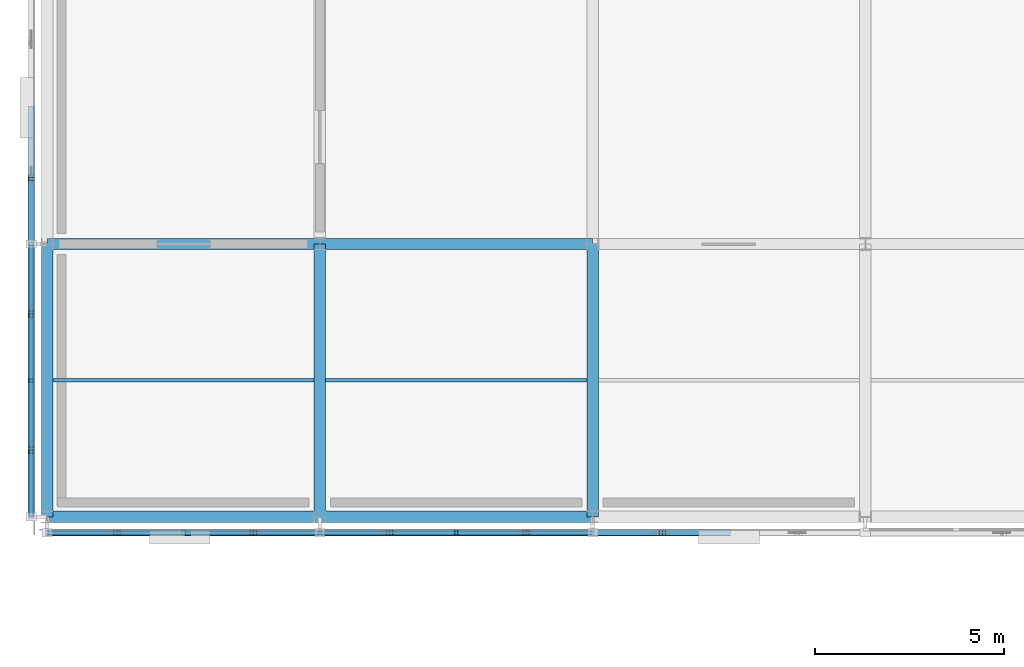
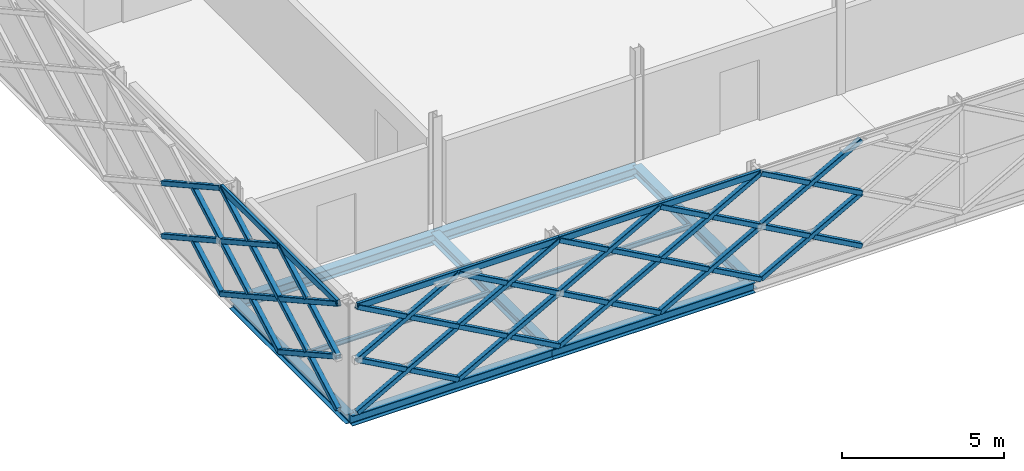
# One storey, part 25 of 146: 49 members, 9 beams.
"""IFC4 building model written with IfcOpenShell, lengths in metres."""

from ifc_helpers import new_model, si_unit, direction, frame, origin, origin_2d, place, context, subcontext, project, spatial, hollow_rectangle, i_section, extrude, material, material_profile, profile_set, type_object, element, save


model = new_model("IFC4")

# Units and contexts
model_context = context("Model", 3, precision=1e-05, world=origin(), true_north=direction((0.0, 1.0)))
body_context = subcontext(model_context, "Body", "Model", "MODEL_VIEW")
ifc_project = project(units=[si_unit("LENGTHUNIT", "METRE"), si_unit("AREAUNIT", "SQUARE_METRE"), si_unit("VOLUMEUNIT", "CUBIC_METRE"), si_unit("PLANEANGLEUNIT", "RADIAN"), si_unit("MASSUNIT", "GRAM", prefix="KILO")], contexts=[model_context])

# Site, building, storey
site_placement = place(None, origin())
site = spatial("IfcSite", under=ifc_project, at=site_placement, CompositionType="ELEMENT")
building_placement = place(site_placement, origin())
building = spatial("IfcBuilding", under=site, at=building_placement, Name="Zlatovets Crest Museum", CompositionType="ELEMENT")
storey_placement = place(building_placement, frame((0.0, 0.0, 4.5)))
storey = spatial("IfcBuildingStorey", under=building, at=storey_placement, Name="L01", CompositionType="ELEMENT", Elevation=4.5)

# Beams
ifc_material_1 = material(Name="Structural steel S355J2", Category="steel")
ifc_material_profile_1 = material_profile(ifc_material_1, i_section(OverallWidth=0.300048828125, OverallDepth=0.389892578125, WebThickness=0.010986328125, FlangeThickness=0.01904296875, FilletRadius=0.027099609375, at=origin_2d()), Name="HEA 400")
ifc_profile_set_1 = profile_set([ifc_material_profile_1], Name="Structural steel S355J2")
beam_type_1 = type_object("IfcBeamType", Name="Beam_B-02", PredefinedType="BEAM", material=ifc_profile_set_1)
for number, where, z_axis, x_axis, name in (
    (1, (0.0, 0.0, -0.4150390625), (1.0, 0.0, 0.0), (0.0, 1.0, 0.0), "V3 L01 Primary Girder B-02"),
    (2, (7.199951171875, 0.0, -0.4150390625), (1.0, 0.0, 0.0), (0.0, 1.0, 0.0), "V3 L01 Primary Girder B-02"),
    (3, (0.0, 7.199951171875, -0.4150390625), (1.0, 0.0, 0.0), (0.0, 1.0, 0.0), "V3 L01 Primary Girder B-02"),
    (4, (7.199951171875, 7.199951171875, -0.4150390625), (1.0, 0.0, 0.0), (0.0, 1.0, 0.0), "V3 L01 Primary Girder B-02"),
):
    element("IfcBeam", number, at=place(storey_placement, frame(where, z_axis=z_axis, x_axis=x_axis)), inside=storey, type_object=beam_type_1, Name=name, PredefinedType="BEAM", context=body_context, shape_type="SweptSolid", body=[
        extrude(i_section(OverallWidth=0.300048828125, OverallDepth=0.389892578125, WebThickness=0.010986328125, FlangeThickness=0.01904296875, FilletRadius=0.027099609375, at=origin_2d()), origin(), (0.0, 0.0, 1.0), 7.199951171875),
    ])
ifc_material_profile_2 = material_profile(ifc_material_1, i_section(OverallWidth=0.300048828125, OverallDepth=0.35009765625, WebThickness=0.010009765625, FlangeThickness=0.017578125, FilletRadius=0.027099609375, at=origin_2d()), Name="HEA 360")
ifc_profile_set_2 = profile_set([ifc_material_profile_2], Name="Structural steel S355J2")
beam_type_2 = type_object("IfcBeamType", Name="Beam_B-03", PredefinedType="BEAM", material=ifc_profile_set_2)
for number, where, z_axis, x_axis, name in (
    (5, (0.0, 0.0, -0.39501953125), (0.0, 1.0, 0.0), (-1.0, 0.0, 0.0), "V3 L01 Grid Beam B-03"),
    (6, (7.199951171875, 0.0, -0.39501953125), (0.0, 1.0, 0.0), (-1.0, 0.0, 0.0), "V3 L01 Grid Beam B-03"),
    (7, (14.39990234375, 0.0, -0.39501953125), (0.0, 1.0, 0.0), (-1.0, 0.0, 0.0), "V3 L01 Grid Beam B-03"),
):
    element("IfcBeam", number, at=place(storey_placement, frame(where, z_axis=z_axis, x_axis=x_axis)), inside=storey, type_object=beam_type_2, Name=name, PredefinedType="BEAM", context=body_context, shape_type="SweptSolid", body=[
        extrude(i_section(OverallWidth=0.300048828125, OverallDepth=0.35009765625, WebThickness=0.010009765625, FlangeThickness=0.017578125, FilletRadius=0.027099609375, at=origin_2d()), origin(), (0.0, 0.0, 1.0), 7.199951171875),
    ])
ifc_material_profile_3 = material_profile(ifc_material_1, i_section(OverallWidth=0.091064453125, OverallDepth=0.179931640625, WebThickness=0.00537109375, FlangeThickness=0.008056640625, FilletRadius=0.009033203125, at=origin_2d()), Name="IPE 180")
ifc_profile_set_3 = profile_set([ifc_material_profile_3], Name="Structural steel S355J2")
beam_type_3 = type_object("IfcBeamType", Name="Beam_J-11", PredefinedType="JOIST", material=ifc_profile_set_3)
beam_1_placement = place(storey_placement, frame((0.14990234375, 3.60009765625, -0.31005859375), z_axis=(1.0, 0.0, 0.0), x_axis=(0.0, 1.0, 0.0)))
element("IfcBeam", 8, at=beam_1_placement, inside=storey, type_object=beam_type_3, Name="V3 L01 Composite Joist J-11", PredefinedType="JOIST", context=body_context, shape_type="SweptSolid", body=[
    extrude(i_section(OverallWidth=0.091064453125, OverallDepth=0.179931640625, WebThickness=0.00537109375, FlangeThickness=0.008056640625, FilletRadius=0.009033203125, at=origin_2d()), origin(), (0.0, 0.0, 1.0), 6.900146484375),
])
beam_2_placement = place(storey_placement, frame((7.35009765625, 3.60009765625, -0.31005859375), z_axis=(1.0, 0.0, 0.0), x_axis=(0.0, 1.0, 0.0)))
element("IfcBeam", 9, at=beam_2_placement, inside=storey, type_object=beam_type_3, Name="V3 L01 Composite Joist J-11", PredefinedType="JOIST", context=body_context, shape_type="SweptSolid", body=[
    extrude(i_section(OverallWidth=0.091064453125, OverallDepth=0.179931640625, WebThickness=0.00537109375, FlangeThickness=0.008056640625, FilletRadius=0.009033203125, at=origin_2d()), origin(), (0.0, 0.0, 1.0), 6.89990234375),
])

# Members
ifc_material_2 = material(Name="Weathering bronze-steel S355J2W", Category="steel")
ifc_material_profile_4 = material_profile(ifc_material_2, hollow_rectangle(XDim=0.179931640625, YDim=0.179931640625, WallThickness=0.010009765625, InnerFilletRadius=0.010009765625, OuterFilletRadius=0.02001953125, at=origin_2d()), Name="SHS 180x180x10.0")
ifc_profile_set_4 = profile_set([ifc_material_profile_4], Name="Weathering bronze-steel S355J2W")
member_type_1 = type_object("IfcMemberType", Name="Lattice_XL-01", PredefinedType="BRACE", material=ifc_profile_set_4)
member_1_placement = place(storey_placement, frame((0.0, -0.419921875, 0.10009765625), z_axis=(0.874162868644, 0.0, 0.485632864501), x_axis=(0.0, 1.0, 0.0)))
element("IfcMember", 10, at=member_1_placement, inside=storey, type_object=member_type_1, Name="Continuous Bronze Lattice Diagonal", PredefinedType="BRACE", context=body_context, shape_type="SweptSolid", body=[
    extrude(hollow_rectangle(XDim=0.179931640625, YDim=0.179931640625, WallThickness=0.010009765625, InnerFilletRadius=0.010009765625, OuterFilletRadius=0.02001953125, at=origin_2d()), origin(), (0.0, 0.0, 1.0), 4.118408203125),
])
member_2_placement = place(storey_placement, frame((0.0, -0.419921875, 2.10009765625), z_axis=(0.874116234569, 0.0, -0.48571679862), x_axis=(0.0, 1.0, 0.0)))
element("IfcMember", 11, at=member_2_placement, inside=storey, type_object=member_type_1, Name="Split Crossing Bronze Lattice Diagonal Upper", PredefinedType="BRACE", context=body_context, shape_type="SweptSolid", body=[
    extrude(hollow_rectangle(XDim=0.179931640625, YDim=0.179931640625, WallThickness=0.010009765625, InnerFilletRadius=0.010009765625, OuterFilletRadius=0.02001953125, at=origin_2d()), origin(), (0.0, 0.0, 1.0), 1.96435546875),
])
member_3_placement = place(storey_placement, frame((1.883056640625, -0.419921875, 1.053955078125), z_axis=(0.874169001841, 0.0, -0.485621824284), x_axis=(0.0, 1.0, 0.0)))
element("IfcMember", 12, at=member_3_placement, inside=storey, type_object=member_type_1, Name="Split Crossing Bronze Lattice Diagonal Lower", PredefinedType="BRACE", context=body_context, shape_type="SweptSolid", body=[
    extrude(hollow_rectangle(XDim=0.179931640625, YDim=0.179931640625, WallThickness=0.010009765625, InnerFilletRadius=0.010009765625, OuterFilletRadius=0.02001953125, at=origin_2d()), origin(), (0.0, 0.0, 1.0), 1.964111328125),
])
member_4_placement = place(storey_placement, frame((3.60009765625, -0.419921875, 0.10009765625), z_axis=(0.874148886685, 0.0, 0.485658031857), x_axis=(0.0, 1.0, 0.0)))
element("IfcMember", 13, at=member_4_placement, inside=storey, type_object=member_type_1, Name="Continuous Bronze Lattice Diagonal", PredefinedType="BRACE", context=body_context, shape_type="SweptSolid", body=[
    extrude(hollow_rectangle(XDim=0.179931640625, YDim=0.179931640625, WallThickness=0.010009765625, InnerFilletRadius=0.010009765625, OuterFilletRadius=0.02001953125, at=origin_2d()), origin(), (0.0, 0.0, 1.0), 4.1181640625),
])
for number, where, z_axis, x_axis, name in (
    (14, (3.60009765625, -0.419921875, 2.10009765625), (0.874086907708, 0.0, -0.485769572713), (0.0, 1.0, 0.0), "Split Crossing Bronze Lattice Diagonal Upper"),
    (15, (5.48291015625, -0.419921875, 1.053955078125), (0.874169001841, 0.0, -0.485621824284), (0.0, 1.0, 0.0), "Split Crossing Bronze Lattice Diagonal Lower"),
):
    element("IfcMember", number, at=place(storey_placement, frame(where, z_axis=z_axis, x_axis=x_axis)), inside=storey, type_object=member_type_1, Name=name, PredefinedType="BRACE", context=body_context, shape_type="SweptSolid", body=[
        extrude(hollow_rectangle(XDim=0.179931640625, YDim=0.179931640625, WallThickness=0.010009765625, InnerFilletRadius=0.010009765625, OuterFilletRadius=0.02001953125, at=origin_2d()), origin(), (0.0, 0.0, 1.0), 1.964111328125),
    ])
member_5_placement = place(storey_placement, frame((0.0, -0.419921875, 2.10009765625), z_axis=(0.874162868644, 0.0, 0.485632864501), x_axis=(0.0, 1.0, 0.0)))
element("IfcMember", 16, at=member_5_placement, inside=storey, type_object=member_type_1, Name="Continuous Bronze Lattice Diagonal", PredefinedType="BRACE", context=body_context, shape_type="SweptSolid", body=[
    extrude(hollow_rectangle(XDim=0.179931640625, YDim=0.179931640625, WallThickness=0.010009765625, InnerFilletRadius=0.010009765625, OuterFilletRadius=0.02001953125, at=origin_2d()), origin(), (0.0, 0.0, 1.0), 4.118408203125),
])
member_6_placement = place(storey_placement, frame((0.0, -0.419921875, 4.10009765625), z_axis=(0.874116234569, 0.0, -0.48571679862), x_axis=(0.0, 1.0, 0.0)))
element("IfcMember", 17, at=member_6_placement, inside=storey, type_object=member_type_1, Name="Split Crossing Bronze Lattice Diagonal Upper", PredefinedType="BRACE", context=body_context, shape_type="SweptSolid", body=[
    extrude(hollow_rectangle(XDim=0.179931640625, YDim=0.179931640625, WallThickness=0.010009765625, InnerFilletRadius=0.010009765625, OuterFilletRadius=0.02001953125, at=origin_2d()), origin(), (0.0, 0.0, 1.0), 1.96435546875),
])
member_7_placement = place(storey_placement, frame((1.883056640625, -0.419921875, 3.053955078125), z_axis=(0.874169001841, 0.0, -0.485621824284), x_axis=(0.0, 1.0, 0.0)))
element("IfcMember", 18, at=member_7_placement, inside=storey, type_object=member_type_1, Name="Split Crossing Bronze Lattice Diagonal Lower", PredefinedType="BRACE", context=body_context, shape_type="SweptSolid", body=[
    extrude(hollow_rectangle(XDim=0.179931640625, YDim=0.179931640625, WallThickness=0.010009765625, InnerFilletRadius=0.010009765625, OuterFilletRadius=0.02001953125, at=origin_2d()), origin(), (0.0, 0.0, 1.0), 1.964111328125),
])
member_8_placement = place(storey_placement, frame((3.60009765625, -0.419921875, 2.10009765625), z_axis=(0.874148886685, 0.0, 0.485658031857), x_axis=(0.0, 1.0, 0.0)))
element("IfcMember", 19, at=member_8_placement, inside=storey, type_object=member_type_1, Name="Continuous Bronze Lattice Diagonal", PredefinedType="BRACE", context=body_context, shape_type="SweptSolid", body=[
    extrude(hollow_rectangle(XDim=0.179931640625, YDim=0.179931640625, WallThickness=0.010009765625, InnerFilletRadius=0.010009765625, OuterFilletRadius=0.02001953125, at=origin_2d()), origin(), (0.0, 0.0, 1.0), 4.1181640625),
])
for number, where, z_axis, x_axis, name in (
    (20, (3.60009765625, -0.419921875, 4.10009765625), (0.874086907708, 0.0, -0.485769572713), (0.0, 1.0, 0.0), "Split Crossing Bronze Lattice Diagonal Upper"),
    (21, (5.48291015625, -0.419921875, 3.053955078125), (0.874169001841, 0.0, -0.485621824284), (0.0, 1.0, 0.0), "Split Crossing Bronze Lattice Diagonal Lower"),
):
    element("IfcMember", number, at=place(storey_placement, frame(where, z_axis=z_axis, x_axis=x_axis)), inside=storey, type_object=member_type_1, Name=name, PredefinedType="BRACE", context=body_context, shape_type="SweptSolid", body=[
        extrude(hollow_rectangle(XDim=0.179931640625, YDim=0.179931640625, WallThickness=0.010009765625, InnerFilletRadius=0.010009765625, OuterFilletRadius=0.02001953125, at=origin_2d()), origin(), (0.0, 0.0, 1.0), 1.964111328125),
    ])
member_9_placement = place(storey_placement, frame((7.199951171875, -0.419921875, 0.10009765625), z_axis=(0.874162868644, 0.0, 0.485632864501), x_axis=(0.0, 1.0, 0.0)))
element("IfcMember", 22, at=member_9_placement, inside=storey, type_object=member_type_1, Name="Continuous Bronze Lattice Diagonal", PredefinedType="BRACE", context=body_context, shape_type="SweptSolid", body=[
    extrude(hollow_rectangle(XDim=0.179931640625, YDim=0.179931640625, WallThickness=0.010009765625, InnerFilletRadius=0.010009765625, OuterFilletRadius=0.02001953125, at=origin_2d()), origin(), (0.0, 0.0, 1.0), 4.118408203125),
])
member_10_placement = place(storey_placement, frame((7.199951171875, -0.419921875, 2.10009765625), z_axis=(0.874116234569, 0.0, -0.48571679862), x_axis=(0.0, 1.0, 0.0)))
element("IfcMember", 23, at=member_10_placement, inside=storey, type_object=member_type_1, Name="Split Crossing Bronze Lattice Diagonal Upper", PredefinedType="BRACE", context=body_context, shape_type="SweptSolid", body=[
    extrude(hollow_rectangle(XDim=0.179931640625, YDim=0.179931640625, WallThickness=0.010009765625, InnerFilletRadius=0.010009765625, OuterFilletRadius=0.02001953125, at=origin_2d()), origin(), (0.0, 0.0, 1.0), 1.96435546875),
])
member_11_placement = place(storey_placement, frame((9.0830078125, -0.419921875, 1.053955078125), z_axis=(0.874169001841, 0.0, -0.485621824284), x_axis=(0.0, 1.0, 0.0)))
element("IfcMember", 24, at=member_11_placement, inside=storey, type_object=member_type_1, Name="Split Crossing Bronze Lattice Diagonal Lower", PredefinedType="BRACE", context=body_context, shape_type="SweptSolid", body=[
    extrude(hollow_rectangle(XDim=0.179931640625, YDim=0.179931640625, WallThickness=0.010009765625, InnerFilletRadius=0.010009765625, OuterFilletRadius=0.02001953125, at=origin_2d()), origin(), (0.0, 0.0, 1.0), 1.964111328125),
])
member_12_placement = place(storey_placement, frame((10.800048828125, -0.419921875, 0.10009765625), z_axis=(0.874148886685, 0.0, 0.485658031857), x_axis=(0.0, 1.0, 0.0)))
element("IfcMember", 25, at=member_12_placement, inside=storey, type_object=member_type_1, Name="Continuous Bronze Lattice Diagonal", PredefinedType="BRACE", context=body_context, shape_type="SweptSolid", body=[
    extrude(hollow_rectangle(XDim=0.179931640625, YDim=0.179931640625, WallThickness=0.010009765625, InnerFilletRadius=0.010009765625, OuterFilletRadius=0.02001953125, at=origin_2d()), origin(), (0.0, 0.0, 1.0), 4.1181640625),
])
member_13_placement = place(storey_placement, frame((10.800048828125, -0.419921875, 2.10009765625), z_axis=(0.874116234569, 0.0, -0.48571679862), x_axis=(0.0, 1.0, 0.0)))
element("IfcMember", 26, at=member_13_placement, inside=storey, type_object=member_type_1, Name="Split Crossing Bronze Lattice Diagonal Upper", PredefinedType="BRACE", context=body_context, shape_type="SweptSolid", body=[
    extrude(hollow_rectangle(XDim=0.179931640625, YDim=0.179931640625, WallThickness=0.010009765625, InnerFilletRadius=0.010009765625, OuterFilletRadius=0.02001953125, at=origin_2d()), origin(), (0.0, 0.0, 1.0), 1.96435546875),
])
member_14_placement = place(storey_placement, frame((12.68310546875, -0.419921875, 1.053955078125), z_axis=(0.874139684676, 0.0, -0.48567459443), x_axis=(0.0, 1.0, 0.0)))
element("IfcMember", 27, at=member_14_placement, inside=storey, type_object=member_type_1, Name="Split Crossing Bronze Lattice Diagonal Lower", PredefinedType="BRACE", context=body_context, shape_type="SweptSolid", body=[
    extrude(hollow_rectangle(XDim=0.179931640625, YDim=0.179931640625, WallThickness=0.010009765625, InnerFilletRadius=0.010009765625, OuterFilletRadius=0.02001953125, at=origin_2d()), origin(), (0.0, 0.0, 1.0), 1.9638671875),
])
member_15_placement = place(storey_placement, frame((7.199951171875, -0.419921875, 2.10009765625), z_axis=(0.874162868644, 0.0, 0.485632864501), x_axis=(0.0, 1.0, 0.0)))
element("IfcMember", 28, at=member_15_placement, inside=storey, type_object=member_type_1, Name="Continuous Bronze Lattice Diagonal", PredefinedType="BRACE", context=body_context, shape_type="SweptSolid", body=[
    extrude(hollow_rectangle(XDim=0.179931640625, YDim=0.179931640625, WallThickness=0.010009765625, InnerFilletRadius=0.010009765625, OuterFilletRadius=0.02001953125, at=origin_2d()), origin(), (0.0, 0.0, 1.0), 4.118408203125),
])
member_16_placement = place(storey_placement, frame((7.199951171875, -0.419921875, 4.10009765625), z_axis=(0.874116234569, 0.0, -0.48571679862), x_axis=(0.0, 1.0, 0.0)))
element("IfcMember", 29, at=member_16_placement, inside=storey, type_object=member_type_1, Name="Split Crossing Bronze Lattice Diagonal Upper", PredefinedType="BRACE", context=body_context, shape_type="SweptSolid", body=[
    extrude(hollow_rectangle(XDim=0.179931640625, YDim=0.179931640625, WallThickness=0.010009765625, InnerFilletRadius=0.010009765625, OuterFilletRadius=0.02001953125, at=origin_2d()), origin(), (0.0, 0.0, 1.0), 1.96435546875),
])
member_17_placement = place(storey_placement, frame((9.0830078125, -0.419921875, 3.053955078125), z_axis=(0.874169001841, 0.0, -0.485621824284), x_axis=(0.0, 1.0, 0.0)))
element("IfcMember", 30, at=member_17_placement, inside=storey, type_object=member_type_1, Name="Split Crossing Bronze Lattice Diagonal Lower", PredefinedType="BRACE", context=body_context, shape_type="SweptSolid", body=[
    extrude(hollow_rectangle(XDim=0.179931640625, YDim=0.179931640625, WallThickness=0.010009765625, InnerFilletRadius=0.010009765625, OuterFilletRadius=0.02001953125, at=origin_2d()), origin(), (0.0, 0.0, 1.0), 1.964111328125),
])
member_18_placement = place(storey_placement, frame((10.800048828125, -0.419921875, 2.10009765625), z_axis=(0.874148886685, 0.0, 0.485658031857), x_axis=(0.0, 1.0, 0.0)))
element("IfcMember", 31, at=member_18_placement, inside=storey, type_object=member_type_1, Name="Continuous Bronze Lattice Diagonal", PredefinedType="BRACE", context=body_context, shape_type="SweptSolid", body=[
    extrude(hollow_rectangle(XDim=0.179931640625, YDim=0.179931640625, WallThickness=0.010009765625, InnerFilletRadius=0.010009765625, OuterFilletRadius=0.02001953125, at=origin_2d()), origin(), (0.0, 0.0, 1.0), 4.1181640625),
])
member_19_placement = place(storey_placement, frame((10.800048828125, -0.419921875, 4.10009765625), z_axis=(0.874116234569, 0.0, -0.48571679862), x_axis=(0.0, 1.0, 0.0)))
element("IfcMember", 32, at=member_19_placement, inside=storey, type_object=member_type_1, Name="Split Crossing Bronze Lattice Diagonal Upper", PredefinedType="BRACE", context=body_context, shape_type="SweptSolid", body=[
    extrude(hollow_rectangle(XDim=0.179931640625, YDim=0.179931640625, WallThickness=0.010009765625, InnerFilletRadius=0.010009765625, OuterFilletRadius=0.02001953125, at=origin_2d()), origin(), (0.0, 0.0, 1.0), 1.96435546875),
])
member_20_placement = place(storey_placement, frame((12.68310546875, -0.419921875, 3.053955078125), z_axis=(0.874139684676, 0.0, -0.48567459443), x_axis=(0.0, 1.0, 0.0)))
element("IfcMember", 33, at=member_20_placement, inside=storey, type_object=member_type_1, Name="Split Crossing Bronze Lattice Diagonal Lower", PredefinedType="BRACE", context=body_context, shape_type="SweptSolid", body=[
    extrude(hollow_rectangle(XDim=0.179931640625, YDim=0.179931640625, WallThickness=0.010009765625, InnerFilletRadius=0.010009765625, OuterFilletRadius=0.02001953125, at=origin_2d()), origin(), (0.0, 0.0, 1.0), 1.9638671875),
])
member_21_placement = place(storey_placement, frame((14.39990234375, -0.419921875, 0.10009765625), z_axis=(0.874162868644, 0.0, 0.485632864501), x_axis=(0.0, 1.0, 0.0)))
element("IfcMember", 34, at=member_21_placement, inside=storey, type_object=member_type_1, Name="Continuous Bronze Lattice Diagonal", PredefinedType="BRACE", context=body_context, shape_type="SweptSolid", body=[
    extrude(hollow_rectangle(XDim=0.179931640625, YDim=0.179931640625, WallThickness=0.010009765625, InnerFilletRadius=0.010009765625, OuterFilletRadius=0.02001953125, at=origin_2d()), origin(), (0.0, 0.0, 1.0), 4.118408203125),
])
member_22_placement = place(storey_placement, frame((14.39990234375, -0.419921875, 2.10009765625), z_axis=(0.874116234569, 0.0, -0.48571679862), x_axis=(0.0, 1.0, 0.0)))
element("IfcMember", 35, at=member_22_placement, inside=storey, type_object=member_type_1, Name="Split Crossing Bronze Lattice Diagonal Upper", PredefinedType="BRACE", context=body_context, shape_type="SweptSolid", body=[
    extrude(hollow_rectangle(XDim=0.179931640625, YDim=0.179931640625, WallThickness=0.010009765625, InnerFilletRadius=0.010009765625, OuterFilletRadius=0.02001953125, at=origin_2d()), origin(), (0.0, 0.0, 1.0), 1.96435546875),
])
member_23_placement = place(storey_placement, frame((16.282958984375, -0.419921875, 1.053955078125), z_axis=(0.874169001841, 0.0, -0.485621824284), x_axis=(0.0, 1.0, 0.0)))
element("IfcMember", 36, at=member_23_placement, inside=storey, type_object=member_type_1, Name="Split Crossing Bronze Lattice Diagonal Lower", PredefinedType="BRACE", context=body_context, shape_type="SweptSolid", body=[
    extrude(hollow_rectangle(XDim=0.179931640625, YDim=0.179931640625, WallThickness=0.010009765625, InnerFilletRadius=0.010009765625, OuterFilletRadius=0.02001953125, at=origin_2d()), origin(), (0.0, 0.0, 1.0), 1.964111328125),
])
member_24_placement = place(storey_placement, frame((14.39990234375, -0.419921875, 2.10009765625), z_axis=(0.874162868644, 0.0, 0.485632864501), x_axis=(0.0, 1.0, 0.0)))
element("IfcMember", 37, at=member_24_placement, inside=storey, type_object=member_type_1, Name="Continuous Bronze Lattice Diagonal", PredefinedType="BRACE", context=body_context, shape_type="SweptSolid", body=[
    extrude(hollow_rectangle(XDim=0.179931640625, YDim=0.179931640625, WallThickness=0.010009765625, InnerFilletRadius=0.010009765625, OuterFilletRadius=0.02001953125, at=origin_2d()), origin(), (0.0, 0.0, 1.0), 4.118408203125),
])
member_25_placement = place(storey_placement, frame((14.39990234375, -0.419921875, 4.10009765625), z_axis=(0.874116234569, 0.0, -0.48571679862), x_axis=(0.0, 1.0, 0.0)))
element("IfcMember", 38, at=member_25_placement, inside=storey, type_object=member_type_1, Name="Split Crossing Bronze Lattice Diagonal Upper", PredefinedType="BRACE", context=body_context, shape_type="SweptSolid", body=[
    extrude(hollow_rectangle(XDim=0.179931640625, YDim=0.179931640625, WallThickness=0.010009765625, InnerFilletRadius=0.010009765625, OuterFilletRadius=0.02001953125, at=origin_2d()), origin(), (0.0, 0.0, 1.0), 1.96435546875),
])
member_26_placement = place(storey_placement, frame((16.282958984375, -0.419921875, 3.053955078125), z_axis=(0.874169001841, 0.0, -0.485621824284), x_axis=(0.0, 1.0, 0.0)))
element("IfcMember", 39, at=member_26_placement, inside=storey, type_object=member_type_1, Name="Split Crossing Bronze Lattice Diagonal Lower", PredefinedType="BRACE", context=body_context, shape_type="SweptSolid", body=[
    extrude(hollow_rectangle(XDim=0.179931640625, YDim=0.179931640625, WallThickness=0.010009765625, InnerFilletRadius=0.010009765625, OuterFilletRadius=0.02001953125, at=origin_2d()), origin(), (0.0, 0.0, 1.0), 1.964111328125),
])
member_27_placement = place(storey_placement, frame((-0.419921875, 10.800048828125, 0.10009765625), z_axis=(0.0, -0.874162868644, 0.485632864501), x_axis=(1.0, 0.0, 0.0)))
element("IfcMember", 40, at=member_27_placement, inside=storey, type_object=member_type_1, Name="Continuous Bronze Lattice Diagonal", PredefinedType="BRACE", context=body_context, shape_type="SweptSolid", body=[
    extrude(hollow_rectangle(XDim=0.179931640625, YDim=0.179931640625, WallThickness=0.010009765625, InnerFilletRadius=0.010009765625, OuterFilletRadius=0.02001953125, at=origin_2d()), origin(), (0.0, 0.0, 1.0), 4.118408203125),
])
member_28_placement = place(storey_placement, frame((-0.419921875, 8.9169921875, 1.053955078125), z_axis=(0.0, -0.874169001841, -0.485621824284), x_axis=(1.0, 0.0, 0.0)))
element("IfcMember", 41, at=member_28_placement, inside=storey, type_object=member_type_1, Name="Split Crossing Bronze Lattice Diagonal Lower", PredefinedType="BRACE", context=body_context, shape_type="SweptSolid", body=[
    extrude(hollow_rectangle(XDim=0.179931640625, YDim=0.179931640625, WallThickness=0.010009765625, InnerFilletRadius=0.010009765625, OuterFilletRadius=0.02001953125, at=origin_2d()), origin(), (0.0, 0.0, 1.0), 1.964111328125),
])
member_29_placement = place(storey_placement, frame((-0.419921875, 10.800048828125, 2.10009765625), z_axis=(0.0, -0.874162868644, 0.485632864501), x_axis=(1.0, 0.0, 0.0)))
element("IfcMember", 42, at=member_29_placement, inside=storey, type_object=member_type_1, Name="Continuous Bronze Lattice Diagonal", PredefinedType="BRACE", context=body_context, shape_type="SweptSolid", body=[
    extrude(hollow_rectangle(XDim=0.179931640625, YDim=0.179931640625, WallThickness=0.010009765625, InnerFilletRadius=0.010009765625, OuterFilletRadius=0.02001953125, at=origin_2d()), origin(), (0.0, 0.0, 1.0), 4.118408203125),
])
member_30_placement = place(storey_placement, frame((-0.419921875, 8.9169921875, 3.053955078125), z_axis=(0.0, -0.874169001841, -0.485621824284), x_axis=(1.0, 0.0, 0.0)))
element("IfcMember", 43, at=member_30_placement, inside=storey, type_object=member_type_1, Name="Split Crossing Bronze Lattice Diagonal Lower", PredefinedType="BRACE", context=body_context, shape_type="SweptSolid", body=[
    extrude(hollow_rectangle(XDim=0.179931640625, YDim=0.179931640625, WallThickness=0.010009765625, InnerFilletRadius=0.010009765625, OuterFilletRadius=0.02001953125, at=origin_2d()), origin(), (0.0, 0.0, 1.0), 1.964111328125),
])
member_31_placement = place(storey_placement, frame((-0.419921875, 7.199951171875, 0.10009765625), z_axis=(0.0, -0.874148886685, 0.485658031857), x_axis=(1.0, 0.0, 0.0)))
element("IfcMember", 44, at=member_31_placement, inside=storey, type_object=member_type_1, Name="Continuous Bronze Lattice Diagonal", PredefinedType="BRACE", context=body_context, shape_type="SweptSolid", body=[
    extrude(hollow_rectangle(XDim=0.179931640625, YDim=0.179931640625, WallThickness=0.010009765625, InnerFilletRadius=0.010009765625, OuterFilletRadius=0.02001953125, at=origin_2d()), origin(), (0.0, 0.0, 1.0), 4.1181640625),
])
member_32_placement = place(storey_placement, frame((-0.419921875, 7.199951171875, 2.10009765625), z_axis=(0.0, -0.874116234569, -0.48571679862), x_axis=(1.0, 0.0, 0.0)))
element("IfcMember", 45, at=member_32_placement, inside=storey, type_object=member_type_1, Name="Split Crossing Bronze Lattice Diagonal Upper", PredefinedType="BRACE", context=body_context, shape_type="SweptSolid", body=[
    extrude(hollow_rectangle(XDim=0.179931640625, YDim=0.179931640625, WallThickness=0.010009765625, InnerFilletRadius=0.010009765625, OuterFilletRadius=0.02001953125, at=origin_2d()), origin(), (0.0, 0.0, 1.0), 1.96435546875),
])
member_33_placement = place(storey_placement, frame((-0.419921875, 5.31689453125, 1.053955078125), z_axis=(0.0, -0.874139684676, -0.48567459443), x_axis=(1.0, 0.0, 0.0)))
element("IfcMember", 46, at=member_33_placement, inside=storey, type_object=member_type_1, Name="Split Crossing Bronze Lattice Diagonal Lower", PredefinedType="BRACE", context=body_context, shape_type="SweptSolid", body=[
    extrude(hollow_rectangle(XDim=0.179931640625, YDim=0.179931640625, WallThickness=0.010009765625, InnerFilletRadius=0.010009765625, OuterFilletRadius=0.02001953125, at=origin_2d()), origin(), (0.0, 0.0, 1.0), 1.9638671875),
])
member_34_placement = place(storey_placement, frame((-0.419921875, 3.60009765625, 0.10009765625), z_axis=(0.0, -0.874162868644, 0.485632864501), x_axis=(1.0, 0.0, 0.0)))
element("IfcMember", 47, at=member_34_placement, inside=storey, type_object=member_type_1, Name="Continuous Bronze Lattice Diagonal", PredefinedType="BRACE", context=body_context, shape_type="SweptSolid", body=[
    extrude(hollow_rectangle(XDim=0.179931640625, YDim=0.179931640625, WallThickness=0.010009765625, InnerFilletRadius=0.010009765625, OuterFilletRadius=0.02001953125, at=origin_2d()), origin(), (0.0, 0.0, 1.0), 4.118408203125),
])
member_35_placement = place(storey_placement, frame((-0.419921875, 3.60009765625, 2.10009765625), z_axis=(0.0, -0.874116234569, -0.48571679862), x_axis=(1.0, 0.0, 0.0)))
element("IfcMember", 48, at=member_35_placement, inside=storey, type_object=member_type_1, Name="Split Crossing Bronze Lattice Diagonal Upper", PredefinedType="BRACE", context=body_context, shape_type="SweptSolid", body=[
    extrude(hollow_rectangle(XDim=0.179931640625, YDim=0.179931640625, WallThickness=0.010009765625, InnerFilletRadius=0.010009765625, OuterFilletRadius=0.02001953125, at=origin_2d()), origin(), (0.0, 0.0, 1.0), 1.96435546875),
])
member_36_placement = place(storey_placement, frame((-0.419921875, 1.717041015625, 1.053955078125), z_axis=(0.0, -0.874169001841, -0.485621824284), x_axis=(1.0, 0.0, 0.0)))
element("IfcMember", 49, at=member_36_placement, inside=storey, type_object=member_type_1, Name="Split Crossing Bronze Lattice Diagonal Lower", PredefinedType="BRACE", context=body_context, shape_type="SweptSolid", body=[
    extrude(hollow_rectangle(XDim=0.179931640625, YDim=0.179931640625, WallThickness=0.010009765625, InnerFilletRadius=0.010009765625, OuterFilletRadius=0.02001953125, at=origin_2d()), origin(), (0.0, 0.0, 1.0), 1.964111328125),
])
member_37_placement = place(storey_placement, frame((-0.419921875, 7.199951171875, 2.10009765625), z_axis=(0.0, -0.874148886685, 0.485658031857), x_axis=(1.0, 0.0, 0.0)))
element("IfcMember", 50, at=member_37_placement, inside=storey, type_object=member_type_1, Name="Continuous Bronze Lattice Diagonal", PredefinedType="BRACE", context=body_context, shape_type="SweptSolid", body=[
    extrude(hollow_rectangle(XDim=0.179931640625, YDim=0.179931640625, WallThickness=0.010009765625, InnerFilletRadius=0.010009765625, OuterFilletRadius=0.02001953125, at=origin_2d()), origin(), (0.0, 0.0, 1.0), 4.1181640625),
])
member_38_placement = place(storey_placement, frame((-0.419921875, 7.199951171875, 4.10009765625), z_axis=(0.0, -0.874116234569, -0.48571679862), x_axis=(1.0, 0.0, 0.0)))
element("IfcMember", 51, at=member_38_placement, inside=storey, type_object=member_type_1, Name="Split Crossing Bronze Lattice Diagonal Upper", PredefinedType="BRACE", context=body_context, shape_type="SweptSolid", body=[
    extrude(hollow_rectangle(XDim=0.179931640625, YDim=0.179931640625, WallThickness=0.010009765625, InnerFilletRadius=0.010009765625, OuterFilletRadius=0.02001953125, at=origin_2d()), origin(), (0.0, 0.0, 1.0), 1.96435546875),
])
member_39_placement = place(storey_placement, frame((-0.419921875, 5.31689453125, 3.053955078125), z_axis=(0.0, -0.874139684676, -0.48567459443), x_axis=(1.0, 0.0, 0.0)))
element("IfcMember", 52, at=member_39_placement, inside=storey, type_object=member_type_1, Name="Split Crossing Bronze Lattice Diagonal Lower", PredefinedType="BRACE", context=body_context, shape_type="SweptSolid", body=[
    extrude(hollow_rectangle(XDim=0.179931640625, YDim=0.179931640625, WallThickness=0.010009765625, InnerFilletRadius=0.010009765625, OuterFilletRadius=0.02001953125, at=origin_2d()), origin(), (0.0, 0.0, 1.0), 1.9638671875),
])
member_40_placement = place(storey_placement, frame((-0.419921875, 3.60009765625, 2.10009765625), z_axis=(0.0, -0.874162868644, 0.485632864501), x_axis=(1.0, 0.0, 0.0)))
element("IfcMember", 53, at=member_40_placement, inside=storey, type_object=member_type_1, Name="Continuous Bronze Lattice Diagonal", PredefinedType="BRACE", context=body_context, shape_type="SweptSolid", body=[
    extrude(hollow_rectangle(XDim=0.179931640625, YDim=0.179931640625, WallThickness=0.010009765625, InnerFilletRadius=0.010009765625, OuterFilletRadius=0.02001953125, at=origin_2d()), origin(), (0.0, 0.0, 1.0), 4.118408203125),
])
member_41_placement = place(storey_placement, frame((-0.419921875, 3.60009765625, 4.10009765625), z_axis=(0.0, -0.874116234569, -0.48571679862), x_axis=(1.0, 0.0, 0.0)))
element("IfcMember", 54, at=member_41_placement, inside=storey, type_object=member_type_1, Name="Split Crossing Bronze Lattice Diagonal Upper", PredefinedType="BRACE", context=body_context, shape_type="SweptSolid", body=[
    extrude(hollow_rectangle(XDim=0.179931640625, YDim=0.179931640625, WallThickness=0.010009765625, InnerFilletRadius=0.010009765625, OuterFilletRadius=0.02001953125, at=origin_2d()), origin(), (0.0, 0.0, 1.0), 1.96435546875),
])
member_42_placement = place(storey_placement, frame((-0.419921875, 1.717041015625, 3.053955078125), z_axis=(0.0, -0.874169001841, -0.485621824284), x_axis=(1.0, 0.0, 0.0)))
element("IfcMember", 55, at=member_42_placement, inside=storey, type_object=member_type_1, Name="Split Crossing Bronze Lattice Diagonal Lower", PredefinedType="BRACE", context=body_context, shape_type="SweptSolid", body=[
    extrude(hollow_rectangle(XDim=0.179931640625, YDim=0.179931640625, WallThickness=0.010009765625, InnerFilletRadius=0.010009765625, OuterFilletRadius=0.02001953125, at=origin_2d()), origin(), (0.0, 0.0, 1.0), 1.964111328125),
])
ifc_material_profile_5 = material_profile(ifc_material_2, hollow_rectangle(XDim=0.1201171875, YDim=0.239990234375, WallThickness=0.010009765625, InnerFilletRadius=0.010009765625, OuterFilletRadius=0.02001953125, at=origin_2d()), Name="RHS 120x240x10.0")
ifc_profile_set_5 = profile_set([ifc_material_profile_5], Name="Weathering bronze-steel S355J2W")
member_type_2 = type_object("IfcMemberType", Name="Lattice_XL-04", PredefinedType="CHORD", material=ifc_profile_set_5)
for number, where, z_axis, x_axis, name in (
    (56, (0.0, -0.419921875, 4.10009765625), (1.0, 0.0, 0.0), (0.0, 1.0, 0.0), "Art Nouveau Woven Cage Collector Ring Chord"),
    (57, (7.199951171875, -0.419921875, 4.10009765625), (1.0, 0.0, 0.0), (0.0, 1.0, 0.0), "Art Nouveau Woven Cage Collector Ring Chord"),
    (58, (-0.419921875, 7.199951171875, 4.10009765625), (0.0, -1.0, 0.0), (1.0, 0.0, 0.0), "Art Nouveau Woven Cage Collector Ring Chord"),
):
    element("IfcMember", number, at=place(storey_placement, frame(where, z_axis=z_axis, x_axis=x_axis)), inside=storey, type_object=member_type_2, Name=name, PredefinedType="CHORD", context=body_context, shape_type="SweptSolid", body=[
        extrude(hollow_rectangle(XDim=0.1201171875, YDim=0.239990234375, WallThickness=0.010009765625, InnerFilletRadius=0.010009765625, OuterFilletRadius=0.02001953125, at=origin_2d()), origin(), (0.0, 0.0, 1.0), 7.199951171875),
    ])

save(model, "model.ifc")
